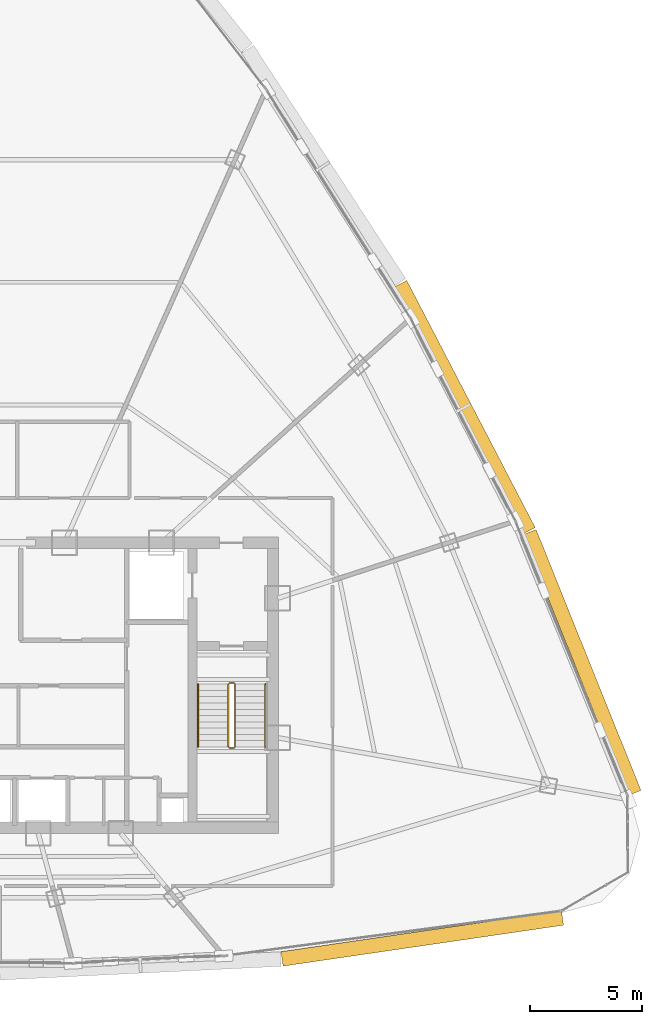
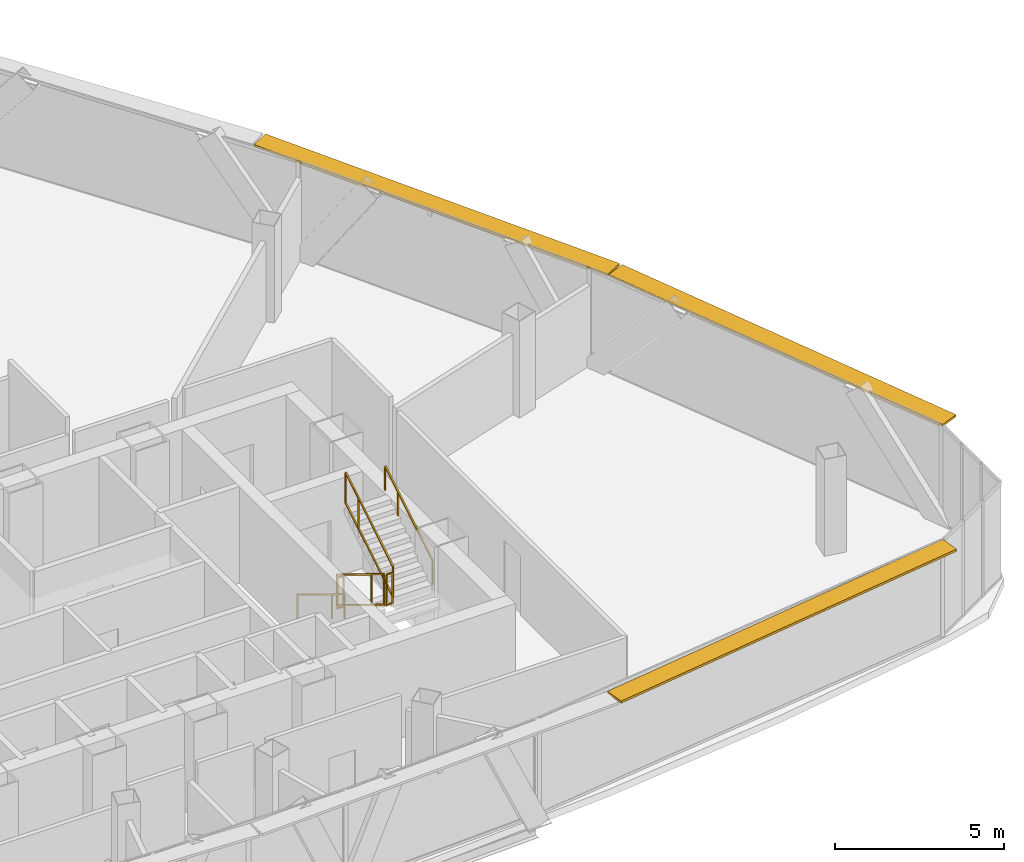
# One storey, part 27 of 28: 6 railings, 3 shading devices.
"""IFC4 building model written with IfcOpenShell, lengths in metres."""

from ifc_helpers import new_model, si_unit, direction, frame, origin, origin_2d, place, context, subcontext, project, spatial, rectangle, extrude, source, transform, mapped, material, layer, layer_set, type_object, element, save


model = new_model("IFC4")

# Units and contexts
model_context = context("Model", 3, precision=1e-05, world=origin(), true_north=direction((0.0, 1.0)))
body_context = subcontext(model_context, "Body", "Model", "MODEL_VIEW")
ifc_project = project(units=[si_unit("LENGTHUNIT", "METRE"), si_unit("AREAUNIT", "SQUARE_METRE"), si_unit("VOLUMEUNIT", "CUBIC_METRE"), si_unit("PLANEANGLEUNIT", "RADIAN"), si_unit("MASSUNIT", "GRAM", prefix="KILO"), si_unit("THERMODYNAMICTEMPERATUREUNIT", "KELVIN"), si_unit("POWERUNIT", "WATT")], contexts=[model_context])

# Site, building, storey
site_placement = place(None, origin())
site = spatial("IfcSite", under=ifc_project, at=site_placement, CompositionType="ELEMENT")
building_placement = place(site_placement, origin())
building = spatial("IfcBuilding", under=site, at=building_placement, Name="Yunzhuo Pagoda Commons", CompositionType="ELEMENT")
storey_placement = place(building_placement, frame((0.0, 0.0, 336.760009765625)))
storey = spatial("IfcBuildingStorey", under=building, at=storey_placement, Name="L84", CompositionType="ELEMENT", Elevation=336.760009765625)

# Railings
ifc_material = material(Name="Anodized aluminium 6063-T6", Category="aluminium")
railing_type_1 = type_object("IfcRailingType", Name="GR-ST2 Stair Well Guardrail 1160", PredefinedType="GUARDRAIL", material=ifc_material)
railing_1_placement = place(storey_placement, frame((58.199951171875, 33.89990234375, 0.17041015625)))
element("IfcRailing", 1, at=railing_1_placement, inside=storey, type_object=railing_type_1, Name="L84 ST2 stair guard 1", PredefinedType="GUARDRAIL", context=body_context, shape_type="SweptSolid", body=[
    extrude(rectangle(XDim=0.048095703125, YDim=0.048095703125, at=origin_2d()), frame((0.0, 0.0, 1.1259765625), z_axis=(0.0, -0.854149651119, 0.520027281489), x_axis=(1.0, 0.0, 0.0)), (0.0, 0.0, 1.0), 3.27783203125),
    extrude(rectangle(XDim=0.048095703125, YDim=0.048095703125, at=origin_2d()), frame((0.0, 0.0, 0.02392578125), z_axis=(0.0, -0.854149651119, 0.520027281489), x_axis=(1.0, 0.0, 0.0)), (0.0, 0.0, 1.0), 3.27783203125),
    extrude(rectangle(XDim=0.0419921875, YDim=0.0419921875, at=origin_2d()), origin(), (0.0, 0.0, 1.0), 1.101806640625),
    extrude(rectangle(XDim=0.0419921875, YDim=0.0419921875, at=origin_2d()), frame((0.0, -2.050048828125, 1.248046875)), (0.0, 0.0, 1.0), 1.101806640625),
    extrude(rectangle(XDim=0.0419921875, YDim=0.0419921875, at=origin_2d()), frame((0.0, -2.7998046875, 1.70458984375)), (0.0, 0.0, 1.0), 1.101806640625),
])
railing_2_placement = place(storey_placement, frame((58.25, 31.050048828125, 1.875)))
element("IfcRailing", 2, at=railing_2_placement, inside=storey, type_object=railing_type_1, Name="L84 ST2 stair guard 2", PredefinedType="GUARDRAIL", context=body_context, shape_type="SweptSolid", body=[
    extrude(rectangle(XDim=0.048095703125, YDim=0.048095703125, at=origin_2d()), frame((0.0, 0.0, 1.1259765625), z_axis=(1.0, 0.0, 0.0), x_axis=(0.0, 1.0, 0.0)), (0.0, 0.0, 1.0), 0.199951171875),
    extrude(rectangle(XDim=0.048095703125, YDim=0.048095703125, at=origin_2d()), frame((0.0, 0.0, 0.02392578125), z_axis=(1.0, 0.0, 0.0), x_axis=(0.0, 1.0, 0.0)), (0.0, 0.0, 1.0), 0.199951171875),
    extrude(rectangle(XDim=0.0419921875, YDim=0.0419921875, at=origin_2d()), origin(), (0.0, 0.0, 1.0), 1.101806640625),
    extrude(rectangle(XDim=0.0419921875, YDim=0.0419921875, at=origin_2d()), frame((0.199951171875, 0.0, 0.0)), (0.0, 0.0, 1.0), 1.101806640625),
])
railing_3_placement = place(storey_placement, frame((58.5, 31.10009765625, 2.04541015625)))
element("IfcRailing", 3, at=railing_3_placement, inside=storey, type_object=railing_type_1, Name="L84 ST2 stair guard 3", PredefinedType="GUARDRAIL", context=body_context, shape_type="SweptSolid", body=[
    extrude(rectangle(XDim=0.048095703125, YDim=0.048095703125, at=origin_2d()), frame((0.0, 0.0, 1.1259765625), z_axis=(0.0, 0.854149651119, 0.520027281489), x_axis=(-1.0, 0.0, 0.0)), (0.0, 0.0, 1.0), 3.27783203125),
    extrude(rectangle(XDim=0.048095703125, YDim=0.048095703125, at=origin_2d()), frame((0.0, 0.0, 0.02392578125), z_axis=(0.0, 0.854149651119, 0.520027281489), x_axis=(-1.0, 0.0, 0.0)), (0.0, 0.0, 1.0), 3.27783203125),
    extrude(rectangle(XDim=0.0419921875, YDim=0.0419921875, at=origin_2d()), origin(), (0.0, 0.0, 1.0), 1.101806640625),
    extrude(rectangle(XDim=0.0419921875, YDim=0.0419921875, at=origin_2d()), frame((0.0, 2.050048828125, 1.248046875)), (0.0, 0.0, 1.0), 1.101806640625),
    extrude(rectangle(XDim=0.0419921875, YDim=0.0419921875, at=origin_2d()), frame((0.0, 2.7998046875, 1.70458984375)), (0.0, 0.0, 1.0), 1.101806640625),
])
railing_4_placement = place(storey_placement, frame((58.25, 33.949951171875, 0.0)))
element("IfcRailing", 4, at=railing_4_placement, inside=storey, type_object=railing_type_1, Name="L84 ST2 stair guard 4", PredefinedType="GUARDRAIL", context=body_context, shape_type="SweptSolid", body=[
    extrude(rectangle(XDim=0.048095703125, YDim=0.048095703125, at=origin_2d()), frame((0.0, 0.0, 1.1259765625), z_axis=(1.0, 0.0, 0.0), x_axis=(0.0, 1.0, 0.0)), (0.0, 0.0, 1.0), 0.199951171875),
    extrude(rectangle(XDim=0.048095703125, YDim=0.048095703125, at=origin_2d()), frame((0.0, 0.0, 0.02392578125), z_axis=(1.0, 0.0, 0.0), x_axis=(0.0, 1.0, 0.0)), (0.0, 0.0, 1.0), 0.199951171875),
    extrude(rectangle(XDim=0.0419921875, YDim=0.0419921875, at=origin_2d()), origin(), (0.0, 0.0, 1.0), 1.101806640625),
    extrude(rectangle(XDim=0.0419921875, YDim=0.0419921875, at=origin_2d()), frame((0.199951171875, 0.0, 0.0)), (0.0, 0.0, 1.0), 1.101806640625),
])
railing_type_2 = type_object("IfcRailingType", Name="HR-ST2 Stair Handrail 900", PredefinedType="HANDRAIL", material=ifc_material)
railing_5_placement = place(storey_placement, frame((56.85009765625, 33.89990234375, 0.17041015625)))
element("IfcRailing", 5, at=railing_5_placement, inside=storey, type_object=railing_type_2, Name="L84 ST2 stair handrail 1", PredefinedType="HANDRAIL", context=body_context, shape_type="SweptSolid", body=[
    extrude(rectangle(XDim=0.048095703125, YDim=0.048095703125, at=origin_2d()), frame((0.0, 0.0, 0.8759765625), z_axis=(0.0, -0.854149651119, 0.520027281489), x_axis=(1.0, 0.0, 0.0)), (0.0, 0.0, 1.0), 3.27783203125),
    extrude(rectangle(XDim=0.0419921875, YDim=0.0419921875, at=origin_2d()), origin(), (0.0, 0.0, 1.0), 0.851806640625),
    extrude(rectangle(XDim=0.0419921875, YDim=0.0419921875, at=origin_2d()), frame((0.0, -2.050048828125, 1.248046875)), (0.0, 0.0, 1.0), 0.851806640625),
    extrude(rectangle(XDim=0.0419921875, YDim=0.0419921875, at=origin_2d()), frame((0.0, -2.7998046875, 1.70458984375)), (0.0, 0.0, 1.0), 0.851806640625),
])
railing_6_placement = place(storey_placement, frame((59.85009765625, 31.10009765625, 2.04541015625)))
element("IfcRailing", 6, at=railing_6_placement, inside=storey, type_object=railing_type_2, Name="L84 ST2 stair handrail 2", PredefinedType="HANDRAIL", context=body_context, shape_type="SweptSolid", body=[
    extrude(rectangle(XDim=0.048095703125, YDim=0.048095703125, at=origin_2d()), frame((0.0, 0.0, 0.8759765625), z_axis=(0.0, 0.854149651119, 0.520027281489), x_axis=(-1.0, 0.0, 0.0)), (0.0, 0.0, 1.0), 3.27783203125),
    extrude(rectangle(XDim=0.0419921875, YDim=0.0419921875, at=origin_2d()), origin(), (0.0, 0.0, 1.0), 0.851806640625),
    extrude(rectangle(XDim=0.0419921875, YDim=0.0419921875, at=origin_2d()), frame((0.0, 2.050048828125, 1.248046875)), (0.0, 0.0, 1.0), 0.851806640625),
    extrude(rectangle(XDim=0.0419921875, YDim=0.0419921875, at=origin_2d()), frame((0.0, 2.7998046875, 1.70458984375)), (0.0, 0.0, 1.0), 0.851806640625),
])

# Shading devices
ifc_layer = layer(ifc_material, 0.080078125)
ifc_layer_set = layer_set([ifc_layer], Name="Anodized aluminium 6063-T6")
shading_device_type = type_object("IfcShadingDeviceType", Name="SH-SUN1 Pagoda Horizontal Sunshade Eave 650", PredefinedType="USERDEFINED", material=ifc_layer_set)
shared_shape_1 = source(origin(), body_context, "Body", "SweptSolid", [
    extrude(rectangle(XDim=12.63623046875, YDim=0.64990234375, at=origin_2d()), origin(), (0.0, 0.0, 1.0), 0.080078125),
])
shading_device_1_placement = place(storey_placement, frame((66.849609375, 22.563720703125, 3.409912109375), z_axis=(0.0, 0.0, 1.0), x_axis=(0.989510666697, 0.144459823108, 0.0)))
element("IfcShadingDevice", 7, at=shading_device_1_placement, inside=storey, type_object=shading_device_type, Name="L84 horizontal pagoda sunshade eave F1.4", ObjectType="SUNSHADE", PredefinedType="USERDEFINED", context=body_context, shape_type="MappedRepresentation", body=[
    mapped(shared_shape_1, transform((0.0, 0.0, 0.0), scale=1.0)),
])
shared_shape_2 = source(origin(), body_context, "Body", "SweptSolid", [
    extrude(rectangle(XDim=12.534423828125, YDim=0.64990234375, at=origin_2d()), origin(), (0.0, 0.0, 1.0), 0.080078125),
])
shading_device_2_placement = place(storey_placement, frame((73.96044921875, 34.8583984375, 3.409912109375), z_axis=(0.0, 0.0, 1.0), x_axis=(-0.372987782576, 0.927836253899, 0.0)))
element("IfcShadingDevice", 8, at=shading_device_2_placement, inside=storey, type_object=shading_device_type, Name="L84 horizontal pagoda sunshade eave F2.1", ObjectType="SUNSHADE", PredefinedType="USERDEFINED", context=body_context, shape_type="MappedRepresentation", body=[
    mapped(shared_shape_2, transform((0.0, 0.0, 0.0), scale=1.0)),
])
shared_shape_3 = source(origin(), body_context, "Body", "SweptSolid", [
    extrude(rectangle(XDim=12.41552734375, YDim=0.64990234375, at=origin_2d()), origin(), (0.0, 0.0, 1.0), 0.080078125),
])
shading_device_3_placement = place(storey_placement, frame((68.7333984375, 46.239013671875, 3.409912109375), z_axis=(0.0, 0.0, 1.0), x_axis=(-0.461206683033, 0.88729273384, 0.0)))
element("IfcShadingDevice", 9, at=shading_device_3_placement, inside=storey, type_object=shading_device_type, Name="L84 horizontal pagoda sunshade eave F2.2", ObjectType="SUNSHADE", PredefinedType="USERDEFINED", context=body_context, shape_type="MappedRepresentation", body=[
    mapped(shared_shape_3, transform((0.0, 0.0, 0.0), scale=1.0)),
])

save(model, "model.ifc")
